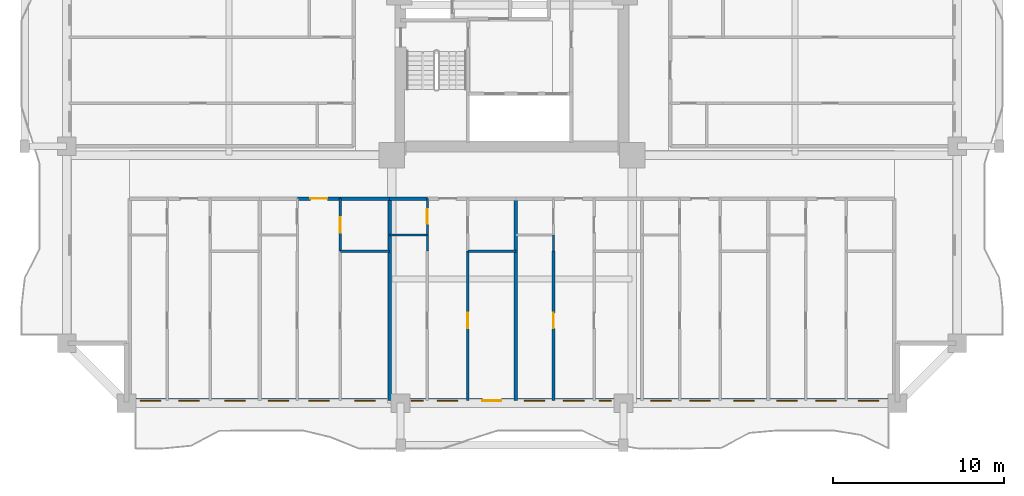
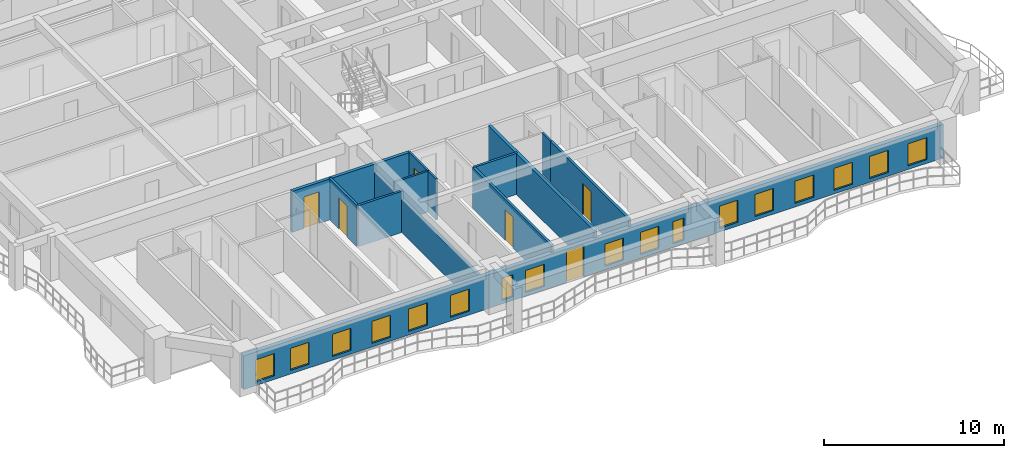
# One storey, part 3 of 17: 17 windows, 15 walls, 6 doors, 23 openings.
"""IFC4 building model written with IfcOpenShell, lengths in metres."""

from ifc_helpers import new_model, si_unit, direction, frame, frame_2d, origin, place, context, subcontext, project, spatial, rectangle, extrude, source, transform, mapped, material, layer, layer_set, type_object, element, fill, save


model = new_model("IFC4")

# Units and contexts
model_context = context("Model", 3, precision=1e-05, world=origin(), true_north=direction((0.0, 1.0)))
body_context = subcontext(model_context, "Body", "Model", "MODEL_VIEW")
ifc_project = project(units=[si_unit("LENGTHUNIT", "METRE"), si_unit("AREAUNIT", "SQUARE_METRE"), si_unit("VOLUMEUNIT", "CUBIC_METRE"), si_unit("PLANEANGLEUNIT", "RADIAN"), si_unit("MASSUNIT", "GRAM", prefix="KILO")], contexts=[model_context])

# Site, building, storey
site_placement = place(None, origin())
site = spatial("IfcSite", under=ifc_project, at=site_placement, CompositionType="ELEMENT")
building_placement = place(site_placement, origin())
building = spatial("IfcBuilding", under=site, at=building_placement, Name="Saelheon Loggia Tower", CompositionType="ELEMENT")
storey_placement = place(building_placement, frame((0.0, 0.0, 22.39990234375)))
storey = spatial("IfcBuildingStorey", under=building, at=storey_placement, Name="L06", CompositionType="ELEMENT", Elevation=22.39990234375)

# Wall, openings, windows, door
ifc_material_1 = material(Name="Architectural Precast Concrete C40/50", Category="concrete")
ifc_layer_1 = layer(ifc_material_1, 0.280029296875)
ifc_layer_set_1 = layer_set([ifc_layer_1], Name="Architectural Precast Concrete C40/50")
wall_type_1 = type_object("IfcWallType", Name="Wall_Ext_Loggia_280", PredefinedType="SOLIDWALL", material=ifc_layer_set_1)
wall_1_placement = place(storey_placement, frame((15.5, 3.139892578125, 0.0), z_axis=(0.0, 0.0, 1.0), x_axis=(1.0, 0.0, 0.0)))
wall_1 = element("IfcWall", 1, at=wall_1_placement, inside=storey, type_object=wall_type_1, Name="L06 South Loggia Inner Wall", PredefinedType="SOLIDWALL", context=body_context, shape_type="SweptSolid", body=[
    extrude(rectangle(XDim=45.0, YDim=0.280029296875, at=frame_2d((22.5, 0.0))), origin(), (0.0, 0.0, 1.0), 2.280029296875),
])
opening_1_placement = place(wall_1_placement, frame((0.784912109375, 0.0, 0.25)))
opening_1 = element("IfcOpeningElement", 2, at=opening_1_placement, cuts=wall_1, Name="Opening WN-03", PredefinedType="OPENING", context=body_context, shape_type="SweptSolid", body=[
    extrude(rectangle(XDim=1.199951171875, YDim=1.5, at=frame_2d((0.60009765625, 0.75))), frame((0.0, 0.152099609375, 0.0), z_axis=(0.0, -1.0, 0.0), x_axis=(1.0, 0.0, 0.0)), (0.0, 0.0, 1.0), 0.303955078125),
])
opening_2_placement = place(wall_1_placement, frame((3.03271484375, 0.0, 0.25)))
opening_2 = element("IfcOpeningElement", 3, at=opening_2_placement, cuts=wall_1, Name="Opening WN-03", PredefinedType="OPENING", context=body_context, shape_type="SweptSolid", body=[
    extrude(rectangle(XDim=1.199951171875, YDim=1.5, at=frame_2d((0.60009765625, 0.75))), frame((0.0, 0.152099609375, 0.0), z_axis=(0.0, -1.0, 0.0), x_axis=(1.0, 0.0, 0.0)), (0.0, 0.0, 1.0), 0.303955078125),
])
opening_3_placement = place(wall_1_placement, frame((5.72705078125, 0.0, 0.25)))
opening_3 = element("IfcOpeningElement", 4, at=opening_3_placement, cuts=wall_1, Name="Opening WN-03", PredefinedType="OPENING", context=body_context, shape_type="SweptSolid", body=[
    extrude(rectangle(XDim=1.199951171875, YDim=1.5, at=frame_2d((0.60009765625, 0.75))), frame((0.0, 0.152099609375, 0.0), z_axis=(0.0, -1.0, 0.0), x_axis=(1.0, 0.0, 0.0)), (0.0, 0.0, 1.0), 0.303955078125),
])
opening_4_placement = place(wall_1_placement, frame((8.268798828125, 0.0, 0.25)))
opening_4 = element("IfcOpeningElement", 5, at=opening_4_placement, cuts=wall_1, Name="Opening WN-03", PredefinedType="OPENING", context=body_context, shape_type="SweptSolid", body=[
    extrude(rectangle(XDim=1.199951171875, YDim=1.5, at=frame_2d((0.60009765625, 0.75))), frame((0.0, 0.152099609375, 0.0), z_axis=(0.0, -1.0, 0.0), x_axis=(1.0, 0.0, 0.0)), (0.0, 0.0, 1.0), 0.303955078125),
])
opening_5_placement = place(wall_1_placement, frame((10.621337890625, 0.0, 0.25)))
opening_5 = element("IfcOpeningElement", 6, at=opening_5_placement, cuts=wall_1, Name="Opening WN-03", PredefinedType="OPENING", context=body_context, shape_type="SweptSolid", body=[
    extrude(rectangle(XDim=1.199951171875, YDim=1.5, at=frame_2d((0.60009765625, 0.75))), frame((0.0, 0.152099609375, 0.0), z_axis=(0.0, -1.0, 0.0), x_axis=(1.0, 0.0, 0.0)), (0.0, 0.0, 1.0), 0.303955078125),
])
opening_6_placement = place(wall_1_placement, frame((13.31591796875, 0.0, 0.25)))
opening_6 = element("IfcOpeningElement", 7, at=opening_6_placement, cuts=wall_1, Name="Opening WN-03", PredefinedType="OPENING", context=body_context, shape_type="SweptSolid", body=[
    extrude(rectangle(XDim=1.199951171875, YDim=1.5, at=frame_2d((0.60009765625, 0.75))), frame((0.0, 0.152099609375, 0.0), z_axis=(0.0, -1.0, 0.0), x_axis=(1.0, 0.0, 0.0)), (0.0, 0.0, 1.0), 0.303955078125),
])
opening_7_placement = place(wall_1_placement, frame((16.623779296875, 0.0, 0.25)))
opening_7 = element("IfcOpeningElement", 8, at=opening_7_placement, cuts=wall_1, Name="Opening WN-06", PredefinedType="OPENING", context=body_context, shape_type="SweptSolid", body=[
    extrude(rectangle(XDim=0.699951171875, YDim=1.5, at=frame_2d((0.35009765625, 0.75))), frame((0.0, 0.152099609375, 0.0), z_axis=(0.0, -1.0, 0.0), x_axis=(1.0, 0.0, 0.0)), (0.0, 0.0, 1.0), 0.303955078125),
])
opening_8_placement = place(wall_1_placement, frame((18.14111328125, 0.0, 0.25)))
opening_8 = element("IfcOpeningElement", 9, at=opening_8_placement, cuts=wall_1, Name="Opening WN-03", PredefinedType="OPENING", context=body_context, shape_type="SweptSolid", body=[
    extrude(rectangle(XDim=1.199951171875, YDim=1.5, at=frame_2d((0.60009765625, 0.75))), frame((0.0, 0.152099609375, 0.0), z_axis=(0.0, -1.0, 0.0), x_axis=(1.0, 0.0, 0.0)), (0.0, 0.0, 1.0), 0.303955078125),
])
opening_9_placement = place(wall_1_placement, frame((21.873779296875, 0.0, 0.0), z_axis=(0.0, 0.0, 1.0), x_axis=(-1.0, 0.0, 0.0)))
opening_9 = element("IfcOpeningElement", 10, at=opening_9_placement, cuts=wall_1, Name="Opening TD1", PredefinedType="OPENING", context=body_context, shape_type="SweptSolid", body=[
    extrude(rectangle(XDim=1.10009765625, YDim=2.14990234375, at=frame_2d((0.550048828125, 1.074951171875))), frame((0.0, 0.152099609375, 0.0), z_axis=(0.0, -1.0, 0.0), x_axis=(1.0, 0.0, 0.0)), (0.0, 0.0, 1.0), 0.303955078125),
])
opening_10_placement = place(wall_1_placement, frame((23.22314453125, 0.0, 0.25)))
opening_10 = element("IfcOpeningElement", 11, at=opening_10_placement, cuts=wall_1, Name="Opening WN-03", PredefinedType="OPENING", context=body_context, shape_type="SweptSolid", body=[
    extrude(rectangle(XDim=1.199951171875, YDim=1.5, at=frame_2d((0.60009765625, 0.75))), frame((0.0, 0.152099609375, 0.0), z_axis=(0.0, -1.0, 0.0), x_axis=(1.0, 0.0, 0.0)), (0.0, 0.0, 1.0), 0.303955078125),
])
opening_11_placement = place(wall_1_placement, frame((25.506591796875, 0.0, 0.25)))
opening_11 = element("IfcOpeningElement", 12, at=opening_11_placement, cuts=wall_1, Name="Opening WN-03", PredefinedType="OPENING", context=body_context, shape_type="SweptSolid", body=[
    extrude(rectangle(XDim=1.199951171875, YDim=1.5, at=frame_2d((0.60009765625, 0.75))), frame((0.0, 0.152099609375, 0.0), z_axis=(0.0, -1.0, 0.0), x_axis=(1.0, 0.0, 0.0)), (0.0, 0.0, 1.0), 0.303955078125),
])
opening_12_placement = place(wall_1_placement, frame((27.599853515625, 0.0, 0.25)))
opening_12 = element("IfcOpeningElement", 13, at=opening_12_placement, cuts=wall_1, Name="Opening WN-06", PredefinedType="OPENING", context=body_context, shape_type="SweptSolid", body=[
    extrude(rectangle(XDim=0.699951171875, YDim=1.5, at=frame_2d((0.35009765625, 0.75))), frame((0.0, 0.152099609375, 0.0), z_axis=(0.0, -1.0, 0.0), x_axis=(1.0, 0.0, 0.0)), (0.0, 0.0, 1.0), 0.303955078125),
])
opening_13_placement = place(wall_1_placement, frame((30.5888671875, 0.0, 0.25)))
opening_13 = element("IfcOpeningElement", 14, at=opening_13_placement, cuts=wall_1, Name="Opening WN-03", PredefinedType="OPENING", context=body_context, shape_type="SweptSolid", body=[
    extrude(rectangle(XDim=1.199951171875, YDim=1.5, at=frame_2d((0.60009765625, 0.75))), frame((0.0, 0.152099609375, 0.0), z_axis=(0.0, -1.0, 0.0), x_axis=(1.0, 0.0, 0.0)), (0.0, 0.0, 1.0), 0.303955078125),
])
opening_14_placement = place(wall_1_placement, frame((32.8720703125, 0.0, 0.25)))
opening_14 = element("IfcOpeningElement", 15, at=opening_14_placement, cuts=wall_1, Name="Opening WN-03", PredefinedType="OPENING", context=body_context, shape_type="SweptSolid", body=[
    extrude(rectangle(XDim=1.199951171875, YDim=1.5, at=frame_2d((0.60009765625, 0.75))), frame((0.0, 0.152099609375, 0.0), z_axis=(0.0, -1.0, 0.0), x_axis=(1.0, 0.0, 0.0)), (0.0, 0.0, 1.0), 0.303955078125),
])
opening_15_placement = place(wall_1_placement, frame((35.455078125, 0.0, 0.25)))
opening_15 = element("IfcOpeningElement", 16, at=opening_15_placement, cuts=wall_1, Name="Opening WN-03", PredefinedType="OPENING", context=body_context, shape_type="SweptSolid", body=[
    extrude(rectangle(XDim=1.199951171875, YDim=1.5, at=frame_2d((0.60009765625, 0.75))), frame((0.0, 0.152099609375, 0.0), z_axis=(0.0, -1.0, 0.0), x_axis=(1.0, 0.0, 0.0)), (0.0, 0.0, 1.0), 0.303955078125),
])
opening_16_placement = place(wall_1_placement, frame((37.954345703125, 0.0, 0.25)))
opening_16 = element("IfcOpeningElement", 17, at=opening_16_placement, cuts=wall_1, Name="Opening WN-03", PredefinedType="OPENING", context=body_context, shape_type="SweptSolid", body=[
    extrude(rectangle(XDim=1.199951171875, YDim=1.5, at=frame_2d((0.60009765625, 0.75))), frame((0.0, 0.152099609375, 0.0), z_axis=(0.0, -1.0, 0.0), x_axis=(1.0, 0.0, 0.0)), (0.0, 0.0, 1.0), 0.303955078125),
])
opening_17_placement = place(wall_1_placement, frame((40.23779296875, 0.0, 0.25)))
opening_17 = element("IfcOpeningElement", 18, at=opening_17_placement, cuts=wall_1, Name="Opening WN-03", PredefinedType="OPENING", context=body_context, shape_type="SweptSolid", body=[
    extrude(rectangle(XDim=1.199951171875, YDim=1.5, at=frame_2d((0.60009765625, 0.75))), frame((0.0, 0.152099609375, 0.0), z_axis=(0.0, -1.0, 0.0), x_axis=(1.0, 0.0, 0.0)), (0.0, 0.0, 1.0), 0.303955078125),
])
opening_18_placement = place(wall_1_placement, frame((42.715576171875, 0.0, 0.25)))
opening_18 = element("IfcOpeningElement", 19, at=opening_18_placement, cuts=wall_1, Name="Opening WN-03", PredefinedType="OPENING", context=body_context, shape_type="SweptSolid", body=[
    extrude(rectangle(XDim=1.199951171875, YDim=1.5, at=frame_2d((0.60009765625, 0.75))), frame((0.0, 0.152099609375, 0.0), z_axis=(0.0, -1.0, 0.0), x_axis=(1.0, 0.0, 0.0)), (0.0, 0.0, 1.0), 0.303955078125),
])
ifc_material_2 = material(Name="Thermal-Break Aluminium and Triple Low-E Glass", Category="aluminium")
window_type_1 = type_object("IfcWindowType", Name="Win_Slot_700x1500", PartitioningType="SINGLE_PANEL", PredefinedType="WINDOW", material=ifc_material_2)
shared_shape_1 = source(origin(), body_context, "Body", "SweptSolid", [
    extrude(rectangle(XDim=0.699951171875, YDim=1.5, at=frame_2d((0.35009765625, 0.75))), frame((0.0, 0.030029296875, 0.0), z_axis=(0.0, -1.0, 0.0), x_axis=(1.0, 0.0, 0.0)), (0.0, 0.0, 1.0), 0.06005859375),
])
window_1_placement = place(opening_7_placement, origin())
window_1 = element("IfcWindow", 20, at=window_1_placement, inside=storey, type_object=window_type_1, Name="L06 S Dwelling Window 7", OverallHeight=1.5, OverallWidth=0.699951171875, PartitioningType="SINGLE_PANEL", PredefinedType="WINDOW", context=body_context, shape_type="MappedRepresentation", body=[
    mapped(shared_shape_1, transform((0.0, 0.0, 0.0), scale=1.0)),
])
fill(opening_7, window_1)
window_2_placement = place(opening_12_placement, origin())
window_2 = element("IfcWindow", 21, at=window_2_placement, inside=storey, type_object=window_type_1, Name="L06 S Dwelling Window 12", OverallHeight=1.5, OverallWidth=0.699951171875, PartitioningType="SINGLE_PANEL", PredefinedType="WINDOW", context=body_context, shape_type="MappedRepresentation", body=[
    mapped(shared_shape_1, transform((0.0, 0.0, 0.0), scale=1.0)),
])
fill(opening_12, window_2)
window_type_2 = type_object("IfcWindowType", Name="Win_Bedroom_1200x1500", PartitioningType="SINGLE_PANEL", PredefinedType="WINDOW", material=ifc_material_2)
shared_shape_2 = source(origin(), body_context, "Body", "SweptSolid", [
    extrude(rectangle(XDim=1.199951171875, YDim=1.5, at=frame_2d((0.60009765625, 0.75))), frame((0.0, 0.030029296875, 0.0), z_axis=(0.0, -1.0, 0.0), x_axis=(1.0, 0.0, 0.0)), (0.0, 0.0, 1.0), 0.06005859375),
])
window_3_placement = place(opening_1_placement, origin())
window_3 = element("IfcWindow", 22, at=window_3_placement, inside=storey, type_object=window_type_2, Name="L06 S Dwelling Window 1", OverallHeight=1.5, OverallWidth=1.199951171875, PartitioningType="SINGLE_PANEL", PredefinedType="WINDOW", context=body_context, shape_type="MappedRepresentation", body=[
    mapped(shared_shape_2, transform((0.0, 0.0, 0.0), scale=1.0)),
])
fill(opening_1, window_3)
window_4_placement = place(opening_2_placement, origin())
window_4 = element("IfcWindow", 23, at=window_4_placement, inside=storey, type_object=window_type_2, Name="L06 S Dwelling Window 2", OverallHeight=1.5, OverallWidth=1.199951171875, PartitioningType="SINGLE_PANEL", PredefinedType="WINDOW", context=body_context, shape_type="MappedRepresentation", body=[
    mapped(shared_shape_2, transform((0.0, 0.0, 0.0), scale=1.0)),
])
fill(opening_2, window_4)
window_5_placement = place(opening_3_placement, origin())
window_5 = element("IfcWindow", 24, at=window_5_placement, inside=storey, type_object=window_type_2, Name="L06 S Dwelling Window 3", OverallHeight=1.5, OverallWidth=1.199951171875, PartitioningType="SINGLE_PANEL", PredefinedType="WINDOW", context=body_context, shape_type="MappedRepresentation", body=[
    mapped(shared_shape_2, transform((0.0, 0.0, 0.0), scale=1.0)),
])
fill(opening_3, window_5)
window_6_placement = place(opening_4_placement, origin())
window_6 = element("IfcWindow", 25, at=window_6_placement, inside=storey, type_object=window_type_2, Name="L06 S Dwelling Window 4", OverallHeight=1.5, OverallWidth=1.199951171875, PartitioningType="SINGLE_PANEL", PredefinedType="WINDOW", context=body_context, shape_type="MappedRepresentation", body=[
    mapped(shared_shape_2, transform((0.0, 0.0, 0.0), scale=1.0)),
])
fill(opening_4, window_6)
window_7_placement = place(opening_5_placement, origin())
window_7 = element("IfcWindow", 26, at=window_7_placement, inside=storey, type_object=window_type_2, Name="L06 S Dwelling Window 5", OverallHeight=1.5, OverallWidth=1.199951171875, PartitioningType="SINGLE_PANEL", PredefinedType="WINDOW", context=body_context, shape_type="MappedRepresentation", body=[
    mapped(shared_shape_2, transform((0.0, 0.0, 0.0), scale=1.0)),
])
fill(opening_5, window_7)
window_8_placement = place(opening_6_placement, origin())
window_8 = element("IfcWindow", 27, at=window_8_placement, inside=storey, type_object=window_type_2, Name="L06 S Dwelling Window 6", OverallHeight=1.5, OverallWidth=1.199951171875, PartitioningType="SINGLE_PANEL", PredefinedType="WINDOW", context=body_context, shape_type="MappedRepresentation", body=[
    mapped(shared_shape_2, transform((0.0, 0.0, 0.0), scale=1.0)),
])
fill(opening_6, window_8)
window_9_placement = place(opening_8_placement, origin())
window_9 = element("IfcWindow", 28, at=window_9_placement, inside=storey, type_object=window_type_2, Name="L06 S Dwelling Window 8", OverallHeight=1.5, OverallWidth=1.199951171875, PartitioningType="SINGLE_PANEL", PredefinedType="WINDOW", context=body_context, shape_type="MappedRepresentation", body=[
    mapped(shared_shape_2, transform((0.0, 0.0, 0.0), scale=1.0)),
])
fill(opening_8, window_9)
window_10_placement = place(opening_10_placement, origin())
window_10 = element("IfcWindow", 29, at=window_10_placement, inside=storey, type_object=window_type_2, Name="L06 S Dwelling Window 10", OverallHeight=1.5, OverallWidth=1.199951171875, PartitioningType="SINGLE_PANEL", PredefinedType="WINDOW", context=body_context, shape_type="MappedRepresentation", body=[
    mapped(shared_shape_2, transform((0.0, 0.0, 0.0), scale=1.0)),
])
fill(opening_10, window_10)
window_11_placement = place(opening_11_placement, origin())
window_11 = element("IfcWindow", 30, at=window_11_placement, inside=storey, type_object=window_type_2, Name="L06 S Dwelling Window 11", OverallHeight=1.5, OverallWidth=1.199951171875, PartitioningType="SINGLE_PANEL", PredefinedType="WINDOW", context=body_context, shape_type="MappedRepresentation", body=[
    mapped(shared_shape_2, transform((0.0, 0.0, 0.0), scale=1.0)),
])
fill(opening_11, window_11)
window_12_placement = place(opening_13_placement, origin())
window_12 = element("IfcWindow", 31, at=window_12_placement, inside=storey, type_object=window_type_2, Name="L06 S Dwelling Window 13", OverallHeight=1.5, OverallWidth=1.199951171875, PartitioningType="SINGLE_PANEL", PredefinedType="WINDOW", context=body_context, shape_type="MappedRepresentation", body=[
    mapped(shared_shape_2, transform((0.0, 0.0, 0.0), scale=1.0)),
])
fill(opening_13, window_12)
window_13_placement = place(opening_14_placement, origin())
window_13 = element("IfcWindow", 32, at=window_13_placement, inside=storey, type_object=window_type_2, Name="L06 S Dwelling Window 14", OverallHeight=1.5, OverallWidth=1.199951171875, PartitioningType="SINGLE_PANEL", PredefinedType="WINDOW", context=body_context, shape_type="MappedRepresentation", body=[
    mapped(shared_shape_2, transform((0.0, 0.0, 0.0), scale=1.0)),
])
fill(opening_14, window_13)
window_14_placement = place(opening_15_placement, origin())
window_14 = element("IfcWindow", 33, at=window_14_placement, inside=storey, type_object=window_type_2, Name="L06 S Dwelling Window 15", OverallHeight=1.5, OverallWidth=1.199951171875, PartitioningType="SINGLE_PANEL", PredefinedType="WINDOW", context=body_context, shape_type="MappedRepresentation", body=[
    mapped(shared_shape_2, transform((0.0, 0.0, 0.0), scale=1.0)),
])
fill(opening_15, window_14)
window_15_placement = place(opening_16_placement, origin())
window_15 = element("IfcWindow", 34, at=window_15_placement, inside=storey, type_object=window_type_2, Name="L06 S Dwelling Window 16", OverallHeight=1.5, OverallWidth=1.199951171875, PartitioningType="SINGLE_PANEL", PredefinedType="WINDOW", context=body_context, shape_type="MappedRepresentation", body=[
    mapped(shared_shape_2, transform((0.0, 0.0, 0.0), scale=1.0)),
])
fill(opening_16, window_15)
window_16_placement = place(opening_17_placement, origin())
window_16 = element("IfcWindow", 35, at=window_16_placement, inside=storey, type_object=window_type_2, Name="L06 S Dwelling Window 17", OverallHeight=1.5, OverallWidth=1.199951171875, PartitioningType="SINGLE_PANEL", PredefinedType="WINDOW", context=body_context, shape_type="MappedRepresentation", body=[
    mapped(shared_shape_2, transform((0.0, 0.0, 0.0), scale=1.0)),
])
fill(opening_17, window_16)
window_17_placement = place(opening_18_placement, origin())
window_17 = element("IfcWindow", 36, at=window_17_placement, inside=storey, type_object=window_type_2, Name="L06 S Dwelling Window 18", OverallHeight=1.5, OverallWidth=1.199951171875, PartitioningType="SINGLE_PANEL", PredefinedType="WINDOW", context=body_context, shape_type="MappedRepresentation", body=[
    mapped(shared_shape_2, transform((0.0, 0.0, 0.0), scale=1.0)),
])
fill(opening_18, window_17)
ifc_material_3 = material(Name="Thermal-Break Aluminium Glazed Door", Category="aluminium")
door_type_1 = type_object("IfcDoorType", Name="Door_Terrace_TD1", OperationType="NOTDEFINED", PredefinedType="DOOR", material=ifc_material_3)
shared_shape_3 = source(origin(), body_context, "Body", "SweptSolid", [
    extrude(rectangle(XDim=1.10009765625, YDim=2.14990234375, at=frame_2d((0.550048828125, 1.074951171875))), frame((0.0, 0.02490234375, 0.0), z_axis=(0.0, -1.0, 0.0), x_axis=(1.0, 0.0, 0.0)), (0.0, 0.0, 1.0), 0.050048828125),
])
door_1_placement = place(opening_9_placement, origin())
door_1 = element("IfcDoor", 37, at=door_1_placement, inside=storey, type_object=door_type_1, Name="L06 S Loggia Access Door", OperationType="SINGLE_SWING_LEFT", OverallHeight=2.14990234375, OverallWidth=1.10009765625, PredefinedType="DOOR", context=body_context, shape_type="MappedRepresentation", body=[
    mapped(shared_shape_3, transform((0.0, 0.0, 0.0), scale=1.0)),
])
fill(opening_9, door_1)

# Wall
ifc_material_4 = material(Name="Lightweight Autoclaved Aerated Concrete Block and Acoustic Gypsum", Category="concrete")
ifc_layer_2 = layer(ifc_material_4, 0.14990234375)
ifc_layer_set_2 = layer_set([ifc_layer_2], Name="Lightweight Autoclaved Aerated Concrete Block and Acoustic Gypsum")
wall_type_2 = type_object("IfcWallType", Name="Wall_Part_150", PredefinedType="PARTITIONING", material=ifc_layer_set_2)
wall_2_placement = place(storey_placement, frame((27.973876953125, 11.8798828125, 0.0), z_axis=(0.0, 0.0, 1.0), x_axis=(1.0, 0.0, 0.0)))
element("IfcWall", 38, at=wall_2_placement, inside=storey, type_object=wall_type_2, Name="L06 S Partition V18", PredefinedType="PARTITIONING", context=body_context, shape_type="SweptSolid", body=[
    extrude(rectangle(XDim=2.8837890625, YDim=0.14990234375, at=frame_2d((1.44189453125, 0.0))), origin(), (0.0, 0.0, 1.0), 2.7900390625),
])

# Wall, opening, door
wall_3_placement = place(storey_placement, frame((27.973876953125, 14.949951171875, 0.0), z_axis=(0.0, 0.0, 1.0), x_axis=(0.0, -1.0, 0.0)))
wall_3 = element("IfcWall", 39, at=wall_3_placement, inside=storey, type_object=wall_type_2, Name="L06 S Partition U22", PredefinedType="PARTITIONING", context=body_context, shape_type="SweptSolid", body=[
    extrude(rectangle(XDim=3.070068359375, YDim=0.14990234375, at=frame_2d((1.53515625, 0.0))), origin(), (0.0, 0.0, 1.0), 2.7900390625),
])
opening_19_placement = place(wall_3_placement, frame((1.0849609375, 0.0, 0.0)))
opening_19 = element("IfcOpeningElement", 40, at=opening_19_placement, cuts=wall_3, Name="Opening D-IN2", PredefinedType="OPENING", context=body_context, shape_type="SweptSolid", body=[
    extrude(rectangle(XDim=0.89990234375, YDim=2.10009765625, at=frame_2d((0.449951171875, 1.050048828125))), frame((0.0, 0.0869140625, 0.0), z_axis=(0.0, -1.0, 0.0), x_axis=(1.0, 0.0, 0.0)), (0.0, 0.0, 1.0), 0.173828125),
])
ifc_material_5 = material(Name="Engineered Oak Flush Door", Category="timber")
door_type_2 = type_object("IfcDoorType", Name="Door_Int_900", OperationType="NOTDEFINED", PredefinedType="DOOR", material=ifc_material_5)
shared_shape_4 = source(origin(), body_context, "Body", "SweptSolid", [
    extrude(rectangle(XDim=0.89990234375, YDim=2.10009765625, at=frame_2d((0.449951171875, 1.050048828125))), frame((0.0, 0.02490234375, 0.0), z_axis=(0.0, -1.0, 0.0), x_axis=(1.0, 0.0, 0.0)), (0.0, 0.0, 1.0), 0.050048828125),
])
door_2_placement = place(opening_19_placement, origin())
door_2 = element("IfcDoor", 41, at=door_2_placement, inside=storey, type_object=door_type_2, Name="Unit U02 Dressing Closet Door", OperationType="SINGLE_SWING_LEFT", OverallHeight=2.10009765625, OverallWidth=0.89990234375, PredefinedType="DOOR", context=body_context, shape_type="MappedRepresentation", body=[
    mapped(shared_shape_4, transform((0.0, 0.0, 0.0), scale=1.0)),
])
fill(opening_19, door_2)

# Wall
wall_4_placement = place(storey_placement, frame((35.42431640625, 11.8798828125, 0.0), z_axis=(0.0, 0.0, 1.0), x_axis=(1.0, 0.0, 0.0)))
element("IfcWall", 42, at=wall_4_placement, inside=storey, type_object=wall_type_2, Name="L06 S Partition V29", PredefinedType="PARTITIONING", context=body_context, shape_type="SweptSolid", body=[
    extrude(rectangle(XDim=2.798828125, YDim=0.14990234375, at=frame_2d((1.3994140625, 0.0))), origin(), (0.0, 0.0, 1.0), 2.7900390625),
])

# Wall, opening, door
wall_5_placement = place(storey_placement, frame((35.42431640625, 11.8798828125, 0.0), z_axis=(0.0, 0.0, 1.0), x_axis=(0.0, -1.0, 0.0)))
wall_5 = element("IfcWall", 43, at=wall_5_placement, inside=storey, type_object=wall_type_2, Name="L06 S Partition U34", PredefinedType="PARTITIONING", context=body_context, shape_type="SweptSolid", body=[
    extrude(rectangle(XDim=8.72998046875, YDim=0.14990234375, at=frame_2d((4.364990234375, 0.0))), origin(), (0.0, 0.0, 1.0), 2.7900390625),
])
opening_20_placement = place(wall_5_placement, frame((3.608642578125, 0.0, 0.0)))
opening_20 = element("IfcOpeningElement", 44, at=opening_20_placement, cuts=wall_5, Name="Opening D-IN2", PredefinedType="OPENING", context=body_context, shape_type="SweptSolid", body=[
    extrude(rectangle(XDim=0.89990234375, YDim=2.10009765625, at=frame_2d((0.449951171875, 1.050048828125))), frame((0.0, 0.0869140625, 0.0), z_axis=(0.0, -1.0, 0.0), x_axis=(1.0, 0.0, 0.0)), (0.0, 0.0, 1.0), 0.173828125),
])
door_3_placement = place(opening_20_placement, origin())
door_3 = element("IfcDoor", 45, at=door_3_placement, inside=storey, type_object=door_type_2, Name="Unit U03 Bedroom 1 Door", OperationType="SINGLE_SWING_LEFT", OverallHeight=2.10009765625, OverallWidth=0.89990234375, PredefinedType="DOOR", context=body_context, shape_type="MappedRepresentation", body=[
    mapped(shared_shape_4, transform((0.0, 0.0, 0.0), scale=1.0)),
])
fill(opening_20, door_3)

wall_6_placement = place(storey_placement, frame((40.423095703125, 11.8798828125, 0.0), z_axis=(0.0, 0.0, 1.0), x_axis=(0.0, -1.0, 0.0)))
wall_6 = element("IfcWall", 46, at=wall_6_placement, inside=storey, type_object=wall_type_2, Name="L06 S Partition U43", PredefinedType="PARTITIONING", context=body_context, shape_type="SweptSolid", body=[
    extrude(rectangle(XDim=8.72998046875, YDim=0.14990234375, at=frame_2d((4.364990234375, 0.0))), origin(), (0.0, 0.0, 1.0), 2.7900390625),
])
opening_21_placement = place(wall_6_placement, frame((3.608642578125, 0.0, 0.0)))
opening_21 = element("IfcOpeningElement", 47, at=opening_21_placement, cuts=wall_6, Name="Opening D-IN2", PredefinedType="OPENING", context=body_context, shape_type="SweptSolid", body=[
    extrude(rectangle(XDim=0.89990234375, YDim=2.10009765625, at=frame_2d((0.449951171875, 1.050048828125))), frame((0.0, 0.0869140625, 0.0), z_axis=(0.0, -1.0, 0.0), x_axis=(1.0, 0.0, 0.0)), (0.0, 0.0, 1.0), 0.173828125),
])
door_4_placement = place(opening_21_placement, origin())
door_4 = element("IfcDoor", 48, at=door_4_placement, inside=storey, type_object=door_type_2, Name="Unit U04 Kitchen Door", OperationType="SINGLE_SWING_RIGHT", OverallHeight=2.10009765625, OverallWidth=0.89990234375, PredefinedType="DOOR", context=body_context, shape_type="MappedRepresentation", body=[
    mapped(shared_shape_4, transform((0.0, 0.0, 0.0), scale=1.0)),
])
fill(opening_21, door_4)

ifc_material_6 = material(Name="Double Acoustic Stud and Fireboard Partition", Category="gypsum")
ifc_layer_3 = layer(ifc_material_6, 0.199951171875)
ifc_layer_set_3 = layer_set([ifc_layer_3], Name="Double Acoustic Stud and Fireboard Partition")
wall_type_3 = type_object("IfcWallType", Name="Wall_Party_200", PredefinedType="PARTITIONING", material=ifc_layer_set_3)
wall_7_placement = place(storey_placement, frame((25.46875, 14.949951171875, 0.0), z_axis=(0.0, 0.0, 1.0), x_axis=(1.0, 0.0, 0.0)))
wall_7 = element("IfcWall", 49, at=wall_7_placement, inside=storey, type_object=wall_type_3, Name="L06 S Partition V15", PredefinedType="PARTITIONING", context=body_context, shape_type="SweptSolid", body=[
    extrude(rectangle(XDim=2.505126953125, YDim=0.199951171875, at=frame_2d((1.25244140625, 0.0))), origin(), (0.0, 0.0, 1.0), 2.7900390625),
])
opening_22_placement = place(wall_7_placement, frame((0.75244140625, 0.0, 0.0)))
opening_22 = element("IfcOpeningElement", 50, at=opening_22_placement, cuts=wall_7, Name="Opening D-FD1", PredefinedType="OPENING", context=body_context, shape_type="SweptSolid", body=[
    extrude(rectangle(XDim=1.0, YDim=2.14990234375, at=frame_2d((0.5, 1.074951171875))), frame((0.0, 0.112060546875, 0.0), z_axis=(0.0, -1.0, 0.0), x_axis=(1.0, 0.0, 0.0)), (0.0, 0.0, 1.0), 0.223876953125),
])
ifc_material_7 = material(Name="Fire-Rated Engineered Timber Entrance Door", Category="wood")
door_type_3 = type_object("IfcDoorType", Name="Door_Flat_FD30S", OperationType="NOTDEFINED", PredefinedType="DOOR", material=ifc_material_7)
shared_shape_5 = source(origin(), body_context, "Body", "SweptSolid", [
    extrude(rectangle(XDim=1.0, YDim=2.14990234375, at=frame_2d((0.5, 1.074951171875))), frame((0.0, 0.02490234375, 0.0), z_axis=(0.0, -1.0, 0.0), x_axis=(1.0, 0.0, 0.0)), (0.0, 0.0, 1.0), 0.050048828125),
])
door_5_placement = place(opening_22_placement, origin())
door_5 = element("IfcDoor", 51, at=door_5_placement, inside=storey, type_object=door_type_3, Name="Unit U02 Entrance Door", OperationType="SINGLE_SWING_RIGHT", OverallHeight=2.14990234375, OverallWidth=1.0, PredefinedType="DOOR", context=body_context, shape_type="MappedRepresentation", body=[
    mapped(shared_shape_5, transform((0.0, 0.0, 0.0), scale=1.0)),
])
fill(opening_22, door_5)

# Walls
wall_8_placement = place(storey_placement, frame((27.973876953125, 14.949951171875, 0.0), z_axis=(0.0, 0.0, 1.0), x_axis=(1.0, 0.0, 0.0)))
element("IfcWall", 52, at=wall_8_placement, inside=storey, type_object=wall_type_3, Name="L06 S Partition V16", PredefinedType="PARTITIONING", context=body_context, shape_type="SweptSolid", body=[
    extrude(rectangle(XDim=2.8837890625, YDim=0.199951171875, at=frame_2d((1.44189453125, 0.0))), origin(), (0.0, 0.0, 1.0), 2.7900390625),
])
wall_9_placement = place(storey_placement, frame((30.857666015625, 14.949951171875, 0.0), z_axis=(0.0, 0.0, 1.0), x_axis=(0.0, -1.0, 0.0)))
element("IfcWall", 53, at=wall_9_placement, inside=storey, type_object=wall_type_3, Name="L06 S Partition U24", PredefinedType="PARTITIONING", context=body_context, shape_type="SweptSolid", body=[
    extrude(rectangle(XDim=11.800048828125, YDim=0.199951171875, at=frame_2d((5.89990234375, 0.0))), origin(), (0.0, 0.0, 1.0), 2.239990234375),
])
wall_10_placement = place(storey_placement, frame((30.857666015625, 14.949951171875, 0.0), z_axis=(0.0, 0.0, 1.0), x_axis=(1.0, 0.0, 0.0)))
element("IfcWall", 54, at=wall_10_placement, inside=storey, type_object=wall_type_3, Name="L06 S Partition V25", PredefinedType="PARTITIONING", context=body_context, shape_type="SweptSolid", body=[
    extrude(rectangle(XDim=2.199951171875, YDim=0.199951171875, at=frame_2d((1.10009765625, 0.0))), origin(), (0.0, 0.0, 1.0), 2.7900390625),
])
wall_11_placement = place(storey_placement, frame((38.22314453125, 14.949951171875, 0.0), z_axis=(0.0, 0.0, 1.0), x_axis=(0.0, -1.0, 0.0)))
element("IfcWall", 55, at=wall_11_placement, inside=storey, type_object=wall_type_3, Name="L06 S Partition U35", PredefinedType="PARTITIONING", context=body_context, shape_type="SweptSolid", body=[
    extrude(rectangle(XDim=11.800048828125, YDim=0.199951171875, at=frame_2d((5.89990234375, 0.0))), origin(), (0.0, 0.0, 1.0), 2.7900390625),
])
ifc_material_8 = material(Name="Moisture-Resistant Cement Board Partition", Category="gypsum")
ifc_layer_4 = layer(ifc_material_8, 0.1201171875)
ifc_layer_set_4 = layer_set([ifc_layer_4], Name="Moisture-Resistant Cement Board Partition")
wall_type_4 = type_object("IfcWallType", Name="Wall_WetPart_120", PredefinedType="PARTITIONING", material=ifc_layer_set_4)
wall_12_placement = place(storey_placement, frame((30.857666015625, 12.830078125, 0.0), z_axis=(0.0, 0.0, 1.0), x_axis=(1.0, 0.0, 0.0)))
element("IfcWall", 56, at=wall_12_placement, inside=storey, type_object=wall_type_4, Name="L06 S Partition V28", PredefinedType="PARTITIONING", context=body_context, shape_type="SweptSolid", body=[
    extrude(rectangle(XDim=2.199951171875, YDim=0.1201171875, at=frame_2d((1.10009765625, 0.0))), origin(), (0.0, 0.0, 1.0), 2.7900390625),
])

# Wall, opening, door
wall_13_placement = place(storey_placement, frame((33.0576171875, 14.949951171875, 0.0), z_axis=(0.0, 0.0, 1.0), x_axis=(0.0, -1.0, 0.0)))
wall_13 = element("IfcWall", 57, at=wall_13_placement, inside=storey, type_object=wall_type_4, Name="L06 S Partition U30", PredefinedType="PARTITIONING", context=body_context, shape_type="SweptSolid", body=[
    extrude(rectangle(XDim=2.119873046875, YDim=0.1201171875, at=frame_2d((1.06005859375, 0.0))), origin(), (0.0, 0.0, 1.0), 2.7900390625),
])
opening_23_placement = place(wall_13_placement, frame((0.635009765625, 0.0, 0.0)))
opening_23 = element("IfcOpeningElement", 58, at=opening_23_placement, cuts=wall_13, Name="Opening D-BT1", PredefinedType="OPENING", context=body_context, shape_type="SweptSolid", body=[
    extrude(rectangle(XDim=0.85009765625, YDim=2.050048828125, at=frame_2d((0.425048828125, 1.02490234375))), frame((0.0, 0.072021484375, 0.0), z_axis=(0.0, -1.0, 0.0), x_axis=(1.0, 0.0, 0.0)), (0.0, 0.0, 1.0), 0.14404296875),
])
ifc_material_9 = material(Name="Moisture-Resistant Laminate Timber Door", Category="wood")
door_type_4 = type_object("IfcDoorType", Name="Door_Bath_850", OperationType="NOTDEFINED", PredefinedType="DOOR", material=ifc_material_9)
shared_shape_6 = source(origin(), body_context, "Body", "SweptSolid", [
    extrude(rectangle(XDim=0.85009765625, YDim=2.050048828125, at=frame_2d((0.425048828125, 1.02490234375))), frame((0.0, 0.02490234375, 0.0), z_axis=(0.0, -1.0, 0.0), x_axis=(1.0, 0.0, 0.0)), (0.0, 0.0, 1.0), 0.050048828125),
])
door_6_placement = place(opening_23_placement, origin())
door_6 = element("IfcDoor", 59, at=door_6_placement, inside=storey, type_object=door_type_4, Name="Unit U03 Bathroom Door", OperationType="SINGLE_SWING_RIGHT", OverallHeight=2.050048828125, OverallWidth=0.85009765625, PredefinedType="DOOR", context=body_context, shape_type="MappedRepresentation", body=[
    mapped(shared_shape_6, transform((0.0, 0.0, 0.0), scale=1.0)),
])
fill(opening_23, door_6)

# Walls
for number, where, z_axis, x_axis, name in (
    (60, (33.0576171875, 12.830078125, 0.0), (0.0, 0.0, 1.0), (0.0, -1.0, 0.0), "L06 S Partition U31"),
    (61, (40.423095703125, 12.830078125, 0.0), (0.0, 0.0, 1.0), (0.0, -1.0, 0.0), "L06 S Partition U42"),
):
    element("IfcWall", number, at=place(storey_placement, frame(where, z_axis=z_axis, x_axis=x_axis)), inside=storey, type_object=wall_type_4, Name=name, PredefinedType="PARTITIONING", context=body_context, shape_type="SweptSolid", body=[
        extrude(rectangle(XDim=0.9501953125, YDim=0.1201171875, at=frame_2d((0.47509765625, 0.0))), origin(), (0.0, 0.0, 1.0), 2.7900390625),
    ])

save(model, "model.ifc")
